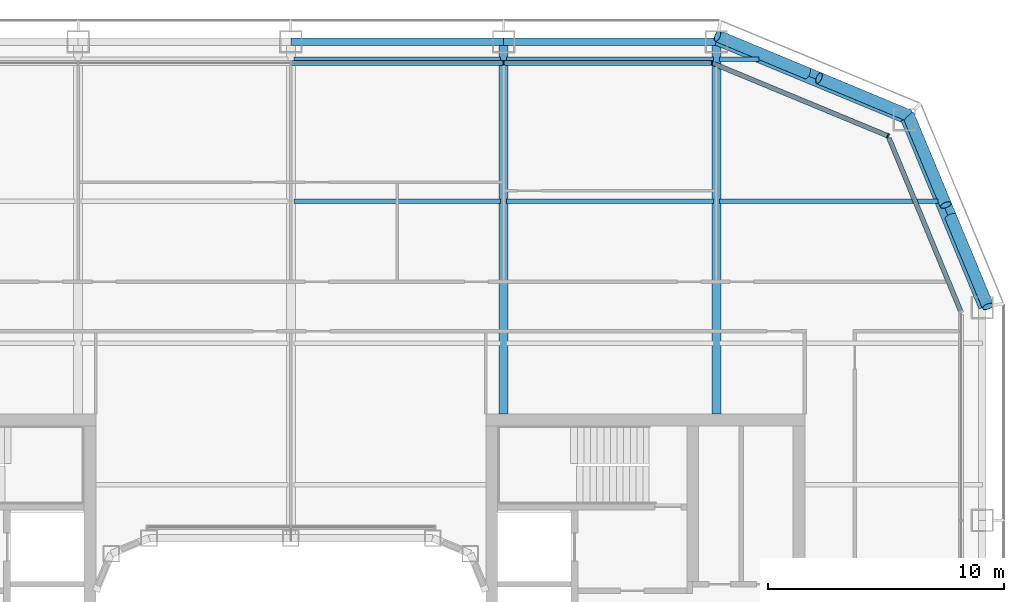
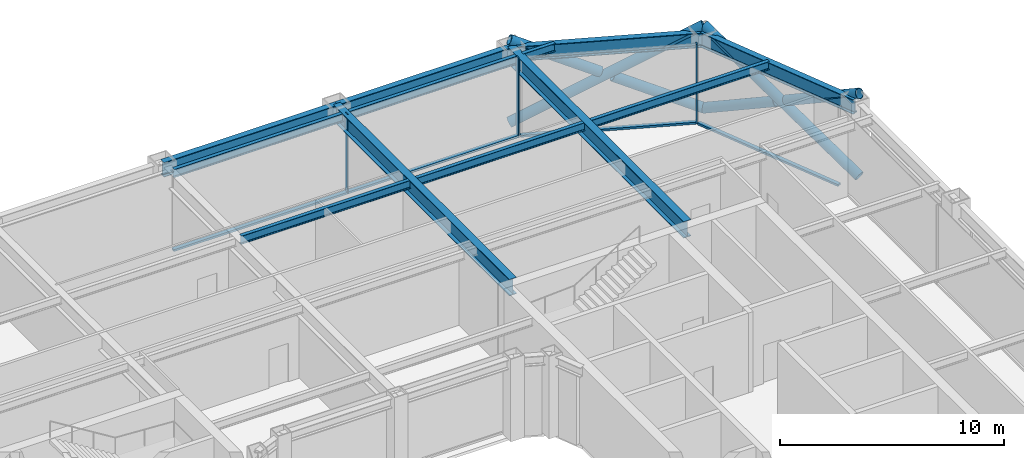
# One storey, part 9 of 21: 13 members, 12 beams, 3 elements without a shape of their own.
"""IFC4 building model written with IfcOpenShell, lengths in metres."""

import ifcopenshell
import ifcopenshell.guid

model = None  # the IFC model being written
_history = None  # IfcOwnerHistory: only IFC2X3 demands one
_inside = {}  # id of a spatial element -> (the spatial element, [elements in it])
_under = {}  # id of a project, library or spatial element -> (it, [spatial elements below it])
_declared = {}  # id of a project -> (the project, [libraries it declares])
_typed = {}  # id of a type object -> (the type object, [elements of that type])
_made_of = {}  # id of a material, layer set ... -> (it, [elements and type objects made of it])


def new_model(schema):
    """Start an empty IFC model of exactly this schema.

    Asked for "IFC4X3", IfcOpenShell would pick the latest addendum, in which some entities
    have other attributes; the version numbers below select the first issue.
    IFC2X3 requires an IfcOwnerHistory on every rooted entity: one is made here for all.
    """
    global model, _history
    if schema == "IFC4X3":
        model = ifcopenshell.file(schema_version=(4, 3, 0, 0))
    else:
        model = ifcopenshell.file(schema=schema)
    _inside.clear()
    _under.clear()
    _declared.clear()
    _typed.clear()
    _made_of.clear()
    _history = None
    if model.schema == "IFC2X3":
        org = make("IfcOrganization", Name="unknown")
        user = make(
            "IfcPersonAndOrganization",
            ThePerson=make("IfcPerson", FamilyName="unknown"),
            TheOrganization=org,
        )
        app = make(
            "IfcApplication",
            ApplicationDeveloper=org,
            Version="unknown",
            ApplicationFullName="unknown",
            ApplicationIdentifier="unknown",
        )
        _history = make(
            "IfcOwnerHistory",
            OwningUser=user,
            OwningApplication=app,
            ChangeAction="ADDED",
            CreationDate=0,
        )
    return model


def make(cls, **values):
    """One entity of the class cls with the attributes given. An attribute that is None is left unset."""
    return model.create_entity(
        cls, **{name: value for name, value in values.items() if value is not None}
    )


def rooted(cls, **values):
    """An entity with a GlobalId (a new one), such as an element, a storey or a relation."""
    return make(cls, GlobalId=ifcopenshell.guid.new(), OwnerHistory=_history, **values)


def si_unit(unit_type, name, prefix=None):
    """IfcSIUnit, for example si_unit("LENGTHUNIT", "METRE", prefix="MILLI")."""
    return make("IfcSIUnit", UnitType=unit_type, Prefix=prefix, Name=name)


def assignment(units):
    """IfcUnitAssignment: the units of a project."""
    return None if units is None else make("IfcUnitAssignment", Units=units)


def point(xyz):
    """IfcCartesianPoint."""
    return None if xyz is None else make("IfcCartesianPoint", Coordinates=xyz)


def direction(xyz):
    """IfcDirection."""
    return None if xyz is None else make("IfcDirection", DirectionRatios=xyz)


def frame(location, z_axis=None, x_axis=None):
    """IfcAxis2Placement3D, a coordinate frame: its origin and axes. An axis left out is left unset."""
    return make(
        "IfcAxis2Placement3D",
        Location=point(location),
        Axis=direction(z_axis),
        RefDirection=direction(x_axis),
    )


def frame_2d(location, x_axis=None):
    """IfcAxis2Placement2D, a coordinate frame in the plane: its origin and x axis."""
    return make(
        "IfcAxis2Placement2D", Location=point(location), RefDirection=direction(x_axis)
    )


def origin():
    """The frame at (0, 0, 0) with its axes left unset."""
    return frame((0.0, 0.0, 0.0))


def origin_2d():
    """The frame at (0, 0) in the plane with its x axis left unset."""
    return frame_2d((0.0, 0.0))


def place(relative_to, where):
    """IfcLocalPlacement: puts the frame where relative to a parent placement (None: the world)."""
    return make(
        "IfcLocalPlacement", PlacementRelTo=relative_to, RelativePlacement=where
    )


def context(
    kind, dimensions, precision=None, world=None, true_north=None, identifier=None
):
    """IfcGeometricRepresentationContext, for example the 3D "Model" context."""
    return make(
        "IfcGeometricRepresentationContext",
        ContextIdentifier=identifier,
        ContextType=kind,
        CoordinateSpaceDimension=dimensions,
        Precision=precision,
        WorldCoordinateSystem=world,
        TrueNorth=true_north,
    )


def subcontext(parent, identifier, kind, view, scale=None):
    """IfcGeometricRepresentationSubContext, for example "Body" below "Model"."""
    return make(
        "IfcGeometricRepresentationSubContext",
        ContextIdentifier=identifier,
        ContextType=kind,
        ParentContext=parent,
        TargetScale=scale,
        TargetView=view,
    )


def project(units=None, contexts=None):
    """IfcProject with its units and contexts."""
    return rooted(
        "IfcProject",
        Name="project",
        RepresentationContexts=contexts,
        UnitsInContext=assignment(units),
    )


def spatial(cls, under=None, at=None, **own):
    """A site, building, storey or space (cls), placed at a placement, below another one or the project."""
    s = rooted(cls, ObjectPlacement=at, **own)
    if under is not None:
        _under.setdefault(under.id(), (under, []))[1].append(s)
    return s


def profile(cls, at=None, kind="AREA", **sizes):
    """A parametric profile (cls). Its sizes go by their IFC names, for example OverallWidth=200.0."""
    return make(cls, ProfileType=kind, Position=at, **sizes)


def rectangle(**sizes):
    """IfcRectangleProfileDef."""
    return profile("IfcRectangleProfileDef", **sizes)


def hollow_circle(**sizes):
    """IfcCircleHollowProfileDef."""
    return profile("IfcCircleHollowProfileDef", **sizes)


def i_section(**sizes):
    """IfcIShapeProfileDef."""
    return profile("IfcIShapeProfileDef", **sizes)


def extrude(swept, where, along, depth):
    """IfcExtrudedAreaSolid: the profile swept, set in the frame where, extruded along a direction by depth."""
    return make(
        "IfcExtrudedAreaSolid",
        SweptArea=swept,
        Position=where,
        ExtrudedDirection=direction(along),
        Depth=depth,
    )


def shape(context_of_items, identifier, shape_type, items):
    """IfcShapeRepresentation: the items that make up one representation, for example the "Body"."""
    return make(
        "IfcShapeRepresentation",
        ContextOfItems=context_of_items,
        RepresentationIdentifier=identifier,
        RepresentationType=shape_type,
        Items=items,
    )


def material(Name=None, Category=None):
    """IfcMaterial."""
    return make("IfcMaterial", Name=Name, Category=Category)


def layer(
    of_material, thickness, ventilated=None, Name=None, Category=None, Priority=None
):
    """IfcMaterialLayer: one layer of a wall or slab, of a material (None: an air gap)."""
    return make(
        "IfcMaterialLayer",
        Material=of_material,
        LayerThickness=thickness,
        IsVentilated=ventilated,
        Name=Name,
        Category=Category,
        Priority=Priority,
    )


def layer_set(layers, Name=None):
    """IfcMaterialLayerSet."""
    return make("IfcMaterialLayerSet", MaterialLayers=layers, LayerSetName=Name)


def material_profile(
    of_material, cross_section, Name=None, Category=None, Priority=None
):
    """IfcMaterialProfile: a cross section and its material."""
    return make(
        "IfcMaterialProfile",
        Name=Name,
        Material=of_material,
        Profile=cross_section,
        Priority=Priority,
        Category=Category,
    )


def profile_set(profiles, Name=None, composite=None):
    """IfcMaterialProfileSet."""
    return make(
        "IfcMaterialProfileSet",
        Name=Name,
        MaterialProfiles=profiles,
        CompositeProfile=composite,
    )


def made_of(thing, what):
    """Note that an element or type object is made of a material, layer set ...; save() writes the relation."""
    if what is not None:
        _made_of.setdefault(what.id(), (what, []))[1].append(thing)
    return thing


def type_object(cls, material=None, **own):
    """A type object (cls), such as IfcWallType, which elements share."""
    return made_of(rooted(cls, **own), material)


def element(
    cls,
    number,
    at=None,
    inside=None,
    cuts=None,
    type_object=None,
    material=None,
    context=None,
    identifier="Body",
    shape_type=None,
    held_by="IfcProductDefinitionShape",
    body=None,
    shapes=None,
    **own,
):
    """One element of the class cls, such as IfcWall. Its Tag is "e" and its number.

    at: its placement. inside: the storey or other place that contains it. cuts: it is an
    opening in that element (IfcRelVoidsElement). A single representation is given by context,
    identifier, shape_type and body (its items); several are given by shapes. held_by: the class
    of the entity that holds the representations. save() writes the other relations.
    """
    e = rooted(cls, Tag="e%d" % number, ObjectPlacement=at, **own)
    if body is not None:
        shapes = [shape(context, identifier, shape_type, body)]
    if shapes is not None:
        e.Representation = make(held_by, Representations=shapes)
    if inside is not None:
        _inside.setdefault(inside.id(), (inside, []))[1].append(e)
    if cuts is not None:
        rooted(
            "IfcRelVoidsElement", RelatingBuildingElement=cuts, RelatedOpeningElement=e
        )
    if type_object is not None:
        _typed.setdefault(type_object.id(), (type_object, []))[1].append(e)
    return made_of(e, material)


def aggregate(whole, parts):
    """IfcRelAggregates: a whole, such as a stair, and the parts it consists of."""
    return rooted("IfcRelAggregates", RelatingObject=whole, RelatedObjects=parts)


def save(model, path):
    """Write the relations noted so far, then the file.

    IfcRelAggregates (storeys below a building ...), IfcRelContainedInSpatialStructure (elements
    in a storey), IfcRelDefinesByType, IfcRelAssociatesMaterial and IfcRelDeclares: one each for
    every whole, place, type object, material and project.
    """
    for whole, parts in _under.values():
        aggregate(whole, parts)
    for where, things in _inside.values():
        rooted(
            "IfcRelContainedInSpatialStructure",
            RelatedElements=things,
            RelatingStructure=where,
        )
    for kind, things in _typed.values():
        rooted("IfcRelDefinesByType", RelatedObjects=things, RelatingType=kind)
    for what, things in _made_of.values():
        rooted("IfcRelAssociatesMaterial", RelatedObjects=things, RelatingMaterial=what)
    for by, libraries in _declared.values():
        rooted("IfcRelDeclares", RelatingContext=by, RelatedDefinitions=libraries)
    model.write(path)


model = new_model("IFC4")

# Units and contexts
model_context = context("Model", 3, precision=1e-05, world=origin(), true_north=direction((0.0, 1.0)))
body_context = subcontext(model_context, "Body", "Model", "MODEL_VIEW")
ifc_project = project(units=[si_unit("LENGTHUNIT", "METRE"), si_unit("AREAUNIT", "SQUARE_METRE"), si_unit("VOLUMEUNIT", "CUBIC_METRE"), si_unit("PLANEANGLEUNIT", "RADIAN"), si_unit("MASSUNIT", "GRAM", prefix="KILO")], contexts=[model_context])

# Site, building, storey
site_placement = place(None, origin())
site = spatial("IfcSite", under=ifc_project, at=site_placement, CompositionType="ELEMENT")
building_placement = place(site_placement, origin())
building = spatial("IfcBuilding", under=site, at=building_placement, Name="Siwar Civic Tower", CompositionType="ELEMENT")
storey_placement = place(building_placement, frame((0.0, 0.0, 104.699951171875)))
storey = spatial("IfcBuildingStorey", under=building, at=storey_placement, Name="L22", CompositionType="ELEMENT", Elevation=104.699951171875)

# Curtain wall, member
ifc_material_1 = material(Name="Aluminium clad insulated panel", Category="aluminium")
ifc_layer_1 = layer(ifc_material_1, 0.199951171875)
ifc_layer_set_1 = layer_set([ifc_layer_1], Name="Aluminium clad insulated panel")
curtain_wall_type_1 = type_object("IfcCurtainWallType", Name="ENV-CW-BX", PredefinedType="NOTDEFINED", material=ifc_layer_set_1)
curtain_wall_1_placement = place(storey_placement, origin())
curtain_wall_1 = element("IfcCurtainWall", 1, at=curtain_wall_1_placement, inside=storey, type_object=curtain_wall_type_1, Name="Curtain wall B NE2", PredefinedType="NOTDEFINED")
ifc_material_2 = material(Name="Aluminium 6063-T6", Category="aluminium")
ifc_material_profile_1 = material_profile(ifc_material_2, rectangle(XDim=0.199951171875, YDim=0.06494140625, at=origin_2d()), Name="AL 200x65")
ifc_profile_set_1 = profile_set([ifc_material_profile_1], Name="Aluminium 6063-T6")
member_type_1 = type_object("IfcMemberType", Name="ENV-MULLION-B", PredefinedType="MULLION", material=ifc_profile_set_1)
member_1_placement = place(storey_placement, frame((25.26611328125, 25.26611328125, 0.0), z_axis=(0.0, 0.0, 1.0), x_axis=(-0.382683432365, -0.923879532511, 0.0)))
member_1 = element("IfcMember", 2, at=member_1_placement, type_object=member_type_1, Name="Mullion B NE2 1", PredefinedType="MULLION", context=body_context, shape_type="SweptSolid", body=[
    extrude(rectangle(XDim=0.199951171875, YDim=0.06494140625, at=origin_2d()), origin(), (0.0, 0.0, 1.0), 4.35009765625),
])

# Curtain wall, members
ifc_material_3 = material(Name="Aluminium and glass", Category="aluminium")
ifc_layer_2 = layer(ifc_material_3, 0.199951171875)
ifc_layer_set_2 = layer_set([ifc_layer_2], Name="Aluminium and glass")
curtain_wall_type_2 = type_object("IfcCurtainWallType", Name="ENV-CW-B", PredefinedType="NOTDEFINED", material=ifc_layer_set_2)
curtain_wall_2_placement = place(storey_placement, origin())
curtain_wall_2 = element("IfcCurtainWall", 3, at=curtain_wall_2_placement, inside=storey, type_object=curtain_wall_type_2, Name="Curtain wall B N", PredefinedType="NOTDEFINED")
member_2_placement = place(storey_placement, frame((17.821044921875, 28.35009765625, 0.0), z_axis=(0.0, 0.0, 1.0), x_axis=(0.0, -1.0, 0.0)))
member_2 = element("IfcMember", 4, at=member_2_placement, type_object=member_type_1, Name="Mullion B N 1", PredefinedType="MULLION", context=body_context, shape_type="SweptSolid", body=[
    extrude(rectangle(XDim=0.199951171875, YDim=0.06494140625, at=origin_2d()), origin(), (0.0, 0.0, 1.0), 4.35009765625),
])
member_3_placement = place(storey_placement, frame((9.0, 28.35009765625, 0.0), z_axis=(0.0, 0.0, 1.0), x_axis=(0.0, -1.0, 0.0)))
member_3 = element("IfcMember", 5, at=member_3_placement, type_object=member_type_1, Name="Mullion B N 2", PredefinedType="MULLION", context=body_context, shape_type="SweptSolid", body=[
    extrude(rectangle(XDim=0.199951171875, YDim=0.06494140625, at=origin_2d()), origin(), (0.0, 0.0, 1.0), 4.35009765625),
])

# Curtain wall, member
curtain_wall_3_placement = place(storey_placement, origin())
curtain_wall_3 = element("IfcCurtainWall", 6, at=curtain_wall_3_placement, inside=storey, type_object=curtain_wall_type_1, Name="Curtain wall B NE1", PredefinedType="NOTDEFINED")
ifc_material_4 = material(Name="Aluminium 6063-T6", Category="aluminium")
ifc_material_profile_2 = material_profile(ifc_material_4, rectangle(XDim=0.199951171875, YDim=0.110107421875, at=origin_2d()), Name="AL 200x110")
ifc_profile_set_2 = profile_set([ifc_material_profile_2], Name="Aluminium 6063-T6")
member_type_2 = type_object("IfcMemberType", Name="ENV-TRANSOM-B", PredefinedType="USERDEFINED", material=ifc_profile_set_2)
member_4_placement = place(storey_placement, frame((28.337646484375, 17.85107421875, 0.054931640625), z_axis=(-0.382699695651, 0.92387279587, 0.0), x_axis=(-0.92387279587, -0.382699695651, 0.0)))
member_4 = element("IfcMember", 7, at=member_4_placement, type_object=member_type_2, Name="Transom B NE1 1", ObjectType="TRANSOM", PredefinedType="USERDEFINED", context=body_context, shape_type="SweptSolid", body=[
    extrude(rectangle(XDim=0.199951171875, YDim=0.110107421875, at=origin_2d()), origin(), (0.0, 0.0, 1.0), 7.912353515625),
])
aggregate(curtain_wall_3, [member_4])

# Member
member_5_placement = place(storey_placement, frame((25.236083984375, 25.278564453125, 0.054931640625), z_axis=(-0.923883705044, 0.382673358825, 0.0), x_axis=(-0.382673358825, -0.923883705044, 0.0)))
member_5 = element("IfcMember", 8, at=member_5_placement, type_object=member_type_2, Name="Transom B NE2 1", ObjectType="TRANSOM", PredefinedType="USERDEFINED", context=body_context, shape_type="SweptSolid", body=[
    extrude(rectangle(XDim=0.199951171875, YDim=0.110107421875, at=origin_2d()), origin(), (0.0, 0.0, 1.0), 7.912353515625),
])

aggregate(curtain_wall_1, [member_1, member_5])

member_6_placement = place(storey_placement, frame((17.78857421875, 28.35009765625, 0.054931640625), z_axis=(-1.0, 0.0, 0.0), x_axis=(0.0, -1.0, 0.0)))
member_6 = element("IfcMember", 9, at=member_6_placement, type_object=member_type_2, Name="Transom B N 1", ObjectType="TRANSOM", PredefinedType="USERDEFINED", context=body_context, shape_type="SweptSolid", body=[
    extrude(rectangle(XDim=0.199951171875, YDim=0.110107421875, at=origin_2d()), origin(), (0.0, 0.0, 1.0), 8.756103515625),
])

member_7_placement = place(storey_placement, frame((8.967529296875, 28.35009765625, 0.054931640625), z_axis=(-1.0, 0.0, 0.0), x_axis=(0.0, -1.0, 0.0)))
member_7 = element("IfcMember", 10, at=member_7_placement, type_object=member_type_2, Name="Transom B N 2", ObjectType="TRANSOM", PredefinedType="USERDEFINED", context=body_context, shape_type="SweptSolid", body=[
    extrude(rectangle(XDim=0.199951171875, YDim=0.110107421875, at=origin_2d()), origin(), (0.0, 0.0, 1.0), 8.93505859375),
])

aggregate(curtain_wall_2, [member_2, member_3, member_6, member_7])

# Members
ifc_material_5 = material(Name="Steel S355", Category="steel")
ifc_material_profile_3 = material_profile(ifc_material_5, hollow_circle(Radius=0.25390625, WallThickness=0.02490234375, at=origin_2d()), Name="CHS508x25")
ifc_profile_set_3 = profile_set([ifc_material_profile_3], Name="Steel S355")
member_type_3 = type_object("IfcMemberType", Name="STR-BR-CHS508x25", PredefinedType="BRACE", material=ifc_profile_set_3)
member_8_placement = place(storey_placement, frame((18.048828125, 29.4951171875, 0.0), z_axis=(0.821142553604, -0.341671493852, 0.457149315816), x_axis=(0.384163874976, 0.923264922524, 0.0)))
element("IfcMember", 11, at=member_8_placement, inside=storey, type_object=member_type_3, Name="L22/brc/BNE1-1-0-1", PredefinedType="BRACE", context=body_context, shape_type="SweptSolid", body=[
    extrude(hollow_circle(Radius=0.25390625, WallThickness=0.02490234375, at=origin_2d()), origin(), (0.0, 0.0, 1.0), 9.843505859375),
])
member_9_placement = place(storey_placement, frame((26.1318359375, 26.1318359375, 0.0), z_axis=(-0.821143275065, 0.341662474736, 0.457154760636), x_axis=(-0.384154943021, -0.923268638995, 0.0)))
element("IfcMember", 12, at=member_9_placement, inside=storey, type_object=member_type_3, Name="L22/brc/BNE1-1-0-2", PredefinedType="BRACE", context=body_context, shape_type="SweptSolid", body=[
    extrude(hollow_circle(Radius=0.25390625, WallThickness=0.02490234375, at=origin_2d()), origin(), (0.0, 0.0, 1.0), 4.61474609375),
])
member_10_placement = place(storey_placement, frame((21.837890625, 27.91845703125, 2.390625), z_axis=(-0.821145902409, 0.34168558233, 0.457132770413), x_axis=(-0.384176042158, -0.923259859753, 0.0)))
element("IfcMember", 13, at=member_10_placement, inside=storey, type_object=member_type_3, Name="L22/brc/BNE1-1-0-3", PredefinedType="BRACE", context=body_context, shape_type="SweptSolid", body=[
    extrude(hollow_circle(Radius=0.25390625, WallThickness=0.02490234375, at=origin_2d()), origin(), (0.0, 0.0, 1.0), 4.6142578125),
])
member_11_placement = place(storey_placement, frame((29.4951171875, 18.048828125, 0.0), z_axis=(-0.341671493852, 0.821142553604, 0.457149315816), x_axis=(-0.923264922524, -0.384163874976, 0.0)))
element("IfcMember", 14, at=member_11_placement, inside=storey, type_object=member_type_3, Name="L22/brc/BNE1-1-0-0", PredefinedType="BRACE", context=body_context, shape_type="SweptSolid", body=[
    extrude(hollow_circle(Radius=0.25390625, WallThickness=0.02490234375, at=origin_2d()), origin(), (0.0, 0.0, 1.0), 9.843505859375),
])
member_12_placement = place(storey_placement, frame((26.1318359375, 26.1318359375, 0.0), z_axis=(0.341662474736, -0.821143275065, 0.457154760636), x_axis=(0.923268638995, 0.384154943021, 0.0)))
element("IfcMember", 15, at=member_12_placement, inside=storey, type_object=member_type_3, Name="L22/brc/BNE1-1-0-4", PredefinedType="BRACE", context=body_context, shape_type="SweptSolid", body=[
    extrude(hollow_circle(Radius=0.25390625, WallThickness=0.02490234375, at=origin_2d()), origin(), (0.0, 0.0, 1.0), 4.61474609375),
])
member_13_placement = place(storey_placement, frame((27.91845703125, 21.837890625, 2.390625), z_axis=(0.34168558233, -0.821145902409, 0.457132770413), x_axis=(0.923259859753, 0.384176042158, 0.0)))
element("IfcMember", 16, at=member_13_placement, inside=storey, type_object=member_type_3, Name="L22/brc/BNE1-1-0-5", PredefinedType="BRACE", context=body_context, shape_type="SweptSolid", body=[
    extrude(hollow_circle(Radius=0.25390625, WallThickness=0.02490234375, at=origin_2d()), origin(), (0.0, 0.0, 1.0), 4.6142578125),
])

# Beams
ifc_material_6 = material(Name="Steel S355", Category="steel")
ifc_material_profile_4 = material_profile(ifc_material_6, i_section(OverallWidth=0.18994140625, OverallDepth=0.449951171875, WebThickness=0.009521484375, FlangeThickness=0.0146484375, FilletRadius=0.02099609375, at=origin_2d()), Name="IPE450")
ifc_profile_set_4 = profile_set([ifc_material_profile_4], Name="Steel S355")
beam_type_1 = type_object("IfcBeamType", Name="STR-FB-IPE450", PredefinedType="JOIST", material=ifc_profile_set_4)
for number, where, z_axis, x_axis, name in (
    (17, (0.1298828125, 22.5, 4.125), (1.0, 0.0, 0.0), (0.0, 1.0, 0.0), "L22/bm/F040"),
    (18, (9.1298828125, 22.5, 4.125), (1.0, 0.0, 0.0), (0.0, 1.0, 0.0), "L22/bm/F041"),
):
    element("IfcBeam", number, at=place(storey_placement, frame(where, z_axis=z_axis, x_axis=x_axis)), inside=storey, type_object=beam_type_1, Name=name, PredefinedType="JOIST", context=body_context, shape_type="SweptSolid", body=[
        extrude(i_section(OverallWidth=0.18994140625, OverallDepth=0.449951171875, WebThickness=0.009521484375, FlangeThickness=0.0146484375, FilletRadius=0.02099609375, at=origin_2d()), origin(), (0.0, 0.0, 1.0), 8.740234375),
    ])
beam_1_placement = place(storey_placement, frame((18.1298828125, 22.5, 4.125), z_axis=(1.0, 0.0, 0.0), x_axis=(0.0, 1.0, 0.0)))
element("IfcBeam", 19, at=beam_1_placement, inside=storey, type_object=beam_type_1, Name="L22/bm/F042", PredefinedType="JOIST", context=body_context, shape_type="SweptSolid", body=[
    extrude(i_section(OverallWidth=0.18994140625, OverallDepth=0.449951171875, WebThickness=0.009521484375, FlangeThickness=0.0146484375, FilletRadius=0.02099609375, at=origin_2d()), origin(), (0.0, 0.0, 1.0), 9.256103515625),
])
for number, where, z_axis, x_axis, name in (
    (20, (0.1298828125, 28.5, 4.125), (1.0, 0.0, 0.0), (0.0, 1.0, 0.0), "L22/bm/F046"),
    (21, (9.1298828125, 28.5, 4.125), (1.0, 0.0, 0.0), (0.0, 1.0, 0.0), "L22/bm/F047"),
):
    element("IfcBeam", number, at=place(storey_placement, frame(where, z_axis=z_axis, x_axis=x_axis)), inside=storey, type_object=beam_type_1, Name=name, PredefinedType="JOIST", context=body_context, shape_type="SweptSolid", body=[
        extrude(i_section(OverallWidth=0.18994140625, OverallDepth=0.449951171875, WebThickness=0.009521484375, FlangeThickness=0.0146484375, FilletRadius=0.02099609375, at=origin_2d()), origin(), (0.0, 0.0, 1.0), 8.740234375),
    ])
beam_2_placement = place(storey_placement, frame((18.1298828125, 28.5, 4.125), z_axis=(1.0, 0.0, 0.0), x_axis=(0.0, 1.0, 0.0)))
element("IfcBeam", 22, at=beam_2_placement, inside=storey, type_object=beam_type_1, Name="L22/bm/F048", PredefinedType="JOIST", context=body_context, shape_type="SweptSolid", body=[
    extrude(i_section(OverallWidth=0.18994140625, OverallDepth=0.449951171875, WebThickness=0.009521484375, FlangeThickness=0.0146484375, FilletRadius=0.02099609375, at=origin_2d()), origin(), (0.0, 0.0, 1.0), 1.6806640625),
])
ifc_material_7 = material(Name="Steel S355", Category="steel")
ifc_material_profile_5 = material_profile(ifc_material_7, i_section(OverallWidth=0.3798828125, OverallDepth=0.89990234375, WebThickness=0.01611328125, FlangeThickness=0.035888671875, at=origin_2d()), Name="PG900x380x16x36")
ifc_profile_set_5 = profile_set([ifc_material_profile_5], Name="Steel S355")
beam_type_2 = type_object("IfcBeamType", Name="STR-PG-PG900x380x16x36", PredefinedType="BEAM", material=ifc_profile_set_5)
for number, where, z_axis, x_axis, name in (
    (23, (9.0, 13.5, 3.900146484375), (0.0, 1.0, 0.0), (-1.0, 0.0, 0.0), "L22/bm/G08"),
    (24, (18.0, 13.5, 3.900146484375), (0.0, 1.0, 0.0), (-1.0, 0.0, 0.0), "L22/bm/G10"),
):
    element("IfcBeam", number, at=place(storey_placement, frame(where, z_axis=z_axis, x_axis=x_axis)), inside=storey, type_object=beam_type_2, Name=name, PredefinedType="BEAM", context=body_context, shape_type="SweptSolid", body=[
        extrude(i_section(OverallWidth=0.3798828125, OverallDepth=0.89990234375, WebThickness=0.01611328125, FlangeThickness=0.035888671875, at=origin_2d()), origin(), (0.0, 0.0, 1.0), 15.75),
    ])
ifc_material_8 = material(Name="Steel S355", Category="steel")
ifc_material_profile_6 = material_profile(ifc_material_8, i_section(OverallWidth=0.300048828125, OverallDepth=0.800048828125, WebThickness=0.017578125, FlangeThickness=0.032958984375, FilletRadius=0.030029296875, at=origin_2d()), Name="HEB800")
ifc_profile_set_6 = profile_set([ifc_material_profile_6], Name="Steel S355")
beam_type_3 = type_object("IfcBeamType", Name="STR-SB-HEB800", PredefinedType="BEAM", material=ifc_profile_set_6)
for number, where, z_axis, x_axis, name in (
    (25, (29.25, 18.0, 3.949951171875), (-0.382699877515, 0.923872720536, 0.0), (-0.923872720536, -0.382699877515, 0.0), "L22/bm/SNE1-0"),
    (26, (25.954833984375, 25.954833984375, 3.949951171875), (-0.923872720536, 0.382699877515, 0.0), (-0.382699877515, -0.923872720536, 0.0), "L22/bm/SNE2-0"),
):
    element("IfcBeam", number, at=place(storey_placement, frame(where, z_axis=z_axis, x_axis=x_axis)), inside=storey, type_object=beam_type_3, Name=name, PredefinedType="BEAM", context=body_context, shape_type="SweptSolid", body=[
        extrude(i_section(OverallWidth=0.300048828125, OverallDepth=0.800048828125, WebThickness=0.017578125, FlangeThickness=0.032958984375, FilletRadius=0.030029296875, at=origin_2d()), origin(), (0.0, 0.0, 1.0), 8.6103515625),
    ])
for number, where, z_axis, x_axis, name in (
    (27, (18.0, 29.25, 3.949951171875), (-1.0, 0.0, 0.0), (0.0, -1.0, 0.0), "L22/bm/SN-0"),
    (28, (9.0, 29.25, 3.949951171875), (-1.0, 0.0, 0.0), (0.0, -1.0, 0.0), "L22/bm/SN-1"),
):
    element("IfcBeam", number, at=place(storey_placement, frame(where, z_axis=z_axis, x_axis=x_axis)), inside=storey, type_object=beam_type_3, Name=name, PredefinedType="BEAM", context=body_context, shape_type="SweptSolid", body=[
        extrude(i_section(OverallWidth=0.300048828125, OverallDepth=0.800048828125, WebThickness=0.017578125, FlangeThickness=0.032958984375, FilletRadius=0.030029296875, at=origin_2d()), origin(), (0.0, 0.0, 1.0), 9.0),
    ])

save(model, "model.ifc")
